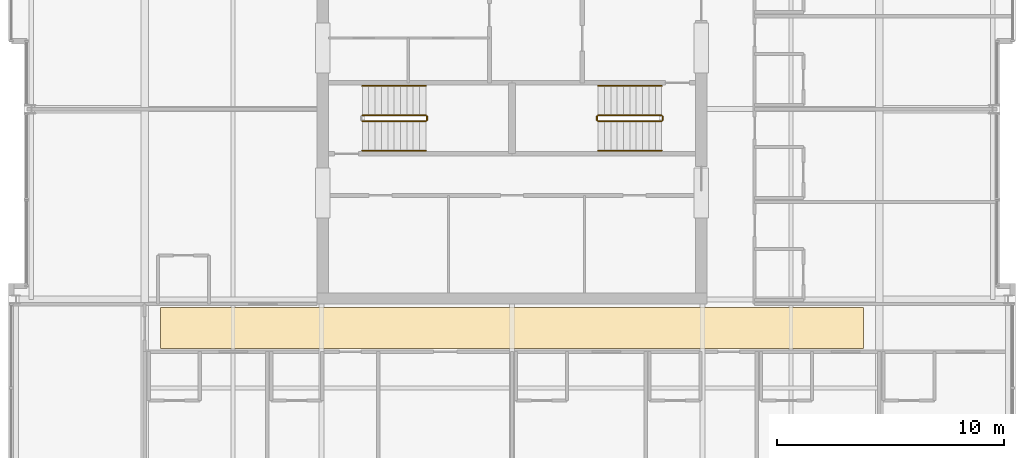
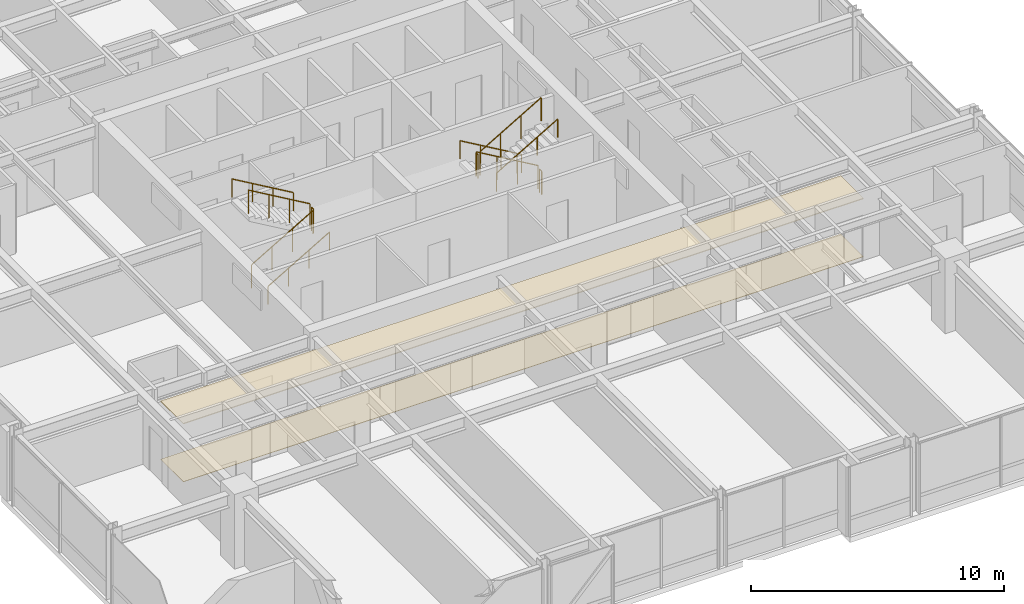
# One storey, part 33 of 34: 11 railings, 2 coverings.
"""IFC4 building model written with IfcOpenShell, lengths in metres."""

from ifc_helpers import new_model, si_unit, direction, frame, origin, origin_2d, place, context, subcontext, project, spatial, polyline, circle, outline, extrude, material, layer, layer_set, type_object, element, save


model = new_model("IFC4")

# Units and contexts
model_context = context("Model", 3, precision=1e-05, world=origin(), true_north=direction((0.0, 1.0)))
body_context = subcontext(model_context, "Body", "Model", "MODEL_VIEW")
ifc_project = project(units=[si_unit("LENGTHUNIT", "METRE"), si_unit("AREAUNIT", "SQUARE_METRE"), si_unit("VOLUMEUNIT", "CUBIC_METRE"), si_unit("PLANEANGLEUNIT", "RADIAN"), si_unit("MASSUNIT", "GRAM", prefix="KILO")], contexts=[model_context])

# Site, building, storey
site_placement = place(None, origin())
site = spatial("IfcSite", under=ifc_project, at=site_placement, CompositionType="ELEMENT")
building_placement = place(site_placement, origin())
building = spatial("IfcBuilding", under=site, at=building_placement, Name="Drelvath Grand Hotel", CompositionType="ELEMENT")
storey_placement = place(building_placement, frame((0.0, 0.0, 208.699951171875)))
storey = spatial("IfcBuildingStorey", under=building, at=storey_placement, Name="L54", CompositionType="ELEMENT", Elevation=208.699951171875)

# Railings
ifc_material_1 = material(Name="Painted Steel S275", Category="steel")
railing_type_1 = type_object("IfcRailingType", Name="Core Stair Wall Handrail 900", PredefinedType="HANDRAIL", material=ifc_material_1)
railing_1_placement = place(storey_placement, frame((-6.60009765625, 25.169921875, 0.16357421875)))
element("IfcRailing", 1, at=railing_1_placement, inside=storey, type_object=railing_type_1, Name="L54 ST-1 stair handrail 1", PredefinedType="HANDRAIL", context=body_context, shape_type="SweptSolid", body=[
    extrude(circle(Radius=0.02392578125, at=origin_2d()), frame((0.0, 0.0, 0.8759765625), z_axis=(0.863360870873, 0.0, 0.504586966384), x_axis=(0.0, 1.0, 0.0)), (0.0, 0.0, 1.0), 3.2431640625),
    extrude(circle(Radius=0.02099609375, at=origin_2d()), origin(), (0.0, 0.0, 1.0), 0.851806640625),
    extrude(circle(Radius=0.02099609375, at=origin_2d()), frame((0.933349609375, 0.0, 0.54541015625)), (0.0, 0.0, 1.0), 0.851806640625),
    extrude(circle(Radius=0.02099609375, at=origin_2d()), frame((1.86669921875, 0.0, 1.091064453125)), (0.0, 0.0, 1.0), 0.851806640625),
    extrude(circle(Radius=0.02099609375, at=origin_2d()), frame((2.800048828125, 0.0, 1.636474609375)), (0.0, 0.0, 1.0), 0.851806640625),
])
for number, where, name in (
    (2, (-3.800048828125, 28.030029296875, 1.963623046875), "L54 ST-1 stair handrail 2"),
    (3, (6.60009765625, 28.030029296875, 0.16357421875), "L54 ST-2 stair handrail 1"),
):
    element("IfcRailing", number, at=place(storey_placement, frame(where)), inside=storey, type_object=railing_type_1, Name=name, PredefinedType="HANDRAIL", context=body_context, shape_type="SweptSolid", body=[
        extrude(circle(Radius=0.02392578125, at=origin_2d()), frame((0.0, 0.0, 0.8759765625), z_axis=(-0.863360870873, 0.0, 0.504586966384), x_axis=(0.0, -1.0, 0.0)), (0.0, 0.0, 1.0), 3.2431640625),
        extrude(circle(Radius=0.02099609375, at=origin_2d()), origin(), (0.0, 0.0, 1.0), 0.851806640625),
        extrude(circle(Radius=0.02099609375, at=origin_2d()), frame((-0.933349609375, 0.0, 0.54541015625)), (0.0, 0.0, 1.0), 0.851806640625),
        extrude(circle(Radius=0.02099609375, at=origin_2d()), frame((-1.86669921875, 0.0, 1.091064453125)), (0.0, 0.0, 1.0), 0.851806640625),
        extrude(circle(Radius=0.02099609375, at=origin_2d()), frame((-2.800048828125, 0.0, 1.636474609375)), (0.0, 0.0, 1.0), 0.851806640625),
    ])
railing_2_placement = place(storey_placement, frame((3.800048828125, 25.169921875, 1.963623046875)))
element("IfcRailing", 4, at=railing_2_placement, inside=storey, type_object=railing_type_1, Name="L54 ST-2 stair handrail 2", PredefinedType="HANDRAIL", context=body_context, shape_type="SweptSolid", body=[
    extrude(circle(Radius=0.02392578125, at=origin_2d()), frame((0.0, 0.0, 0.8759765625), z_axis=(0.863360870873, 0.0, 0.504586966384), x_axis=(0.0, 1.0, 0.0)), (0.0, 0.0, 1.0), 3.2431640625),
    extrude(circle(Radius=0.02099609375, at=origin_2d()), origin(), (0.0, 0.0, 1.0), 0.851806640625),
    extrude(circle(Radius=0.02099609375, at=origin_2d()), frame((0.933349609375, 0.0, 0.54541015625)), (0.0, 0.0, 1.0), 0.851806640625),
    extrude(circle(Radius=0.02099609375, at=origin_2d()), frame((1.86669921875, 0.0, 1.091064453125)), (0.0, 0.0, 1.0), 0.851806640625),
    extrude(circle(Radius=0.02099609375, at=origin_2d()), frame((2.800048828125, 0.0, 1.636474609375)), (0.0, 0.0, 1.0), 0.851806640625),
])
railing_type_2 = type_object("IfcRailingType", Name="Core Stair Well Guardrail 1100", PredefinedType="GUARDRAIL", material=ifc_material_1)
railing_3_placement = place(storey_placement, frame((-6.60009765625, 26.469970703125, 0.16357421875)))
element("IfcRailing", 5, at=railing_3_placement, inside=storey, type_object=railing_type_2, Name="L54 ST-1 stair guard 1", PredefinedType="GUARDRAIL", context=body_context, shape_type="SweptSolid", body=[
    extrude(circle(Radius=0.02392578125, at=origin_2d()), frame((0.0, 0.0, 1.1259765625), z_axis=(0.863360870873, 0.0, 0.504586966384), x_axis=(0.0, 1.0, 0.0)), (0.0, 0.0, 1.0), 3.2431640625),
    extrude(circle(Radius=0.02099609375, at=origin_2d()), origin(), (0.0, 0.0, 1.0), 1.101806640625),
    extrude(circle(Radius=0.02099609375, at=origin_2d()), frame((0.933349609375, 0.0, 0.54541015625)), (0.0, 0.0, 1.0), 1.101806640625),
    extrude(circle(Radius=0.02099609375, at=origin_2d()), frame((1.86669921875, 0.0, 1.091064453125)), (0.0, 0.0, 1.0), 1.101806640625),
    extrude(circle(Radius=0.02099609375, at=origin_2d()), frame((2.800048828125, 0.0, 1.636474609375)), (0.0, 0.0, 1.0), 1.101806640625),
])
railing_4_placement = place(storey_placement, frame((-3.75, 26.52001953125, 1.800048828125)))
element("IfcRailing", 6, at=railing_4_placement, inside=storey, type_object=railing_type_2, Name="L54 ST-1 stair guard 2", PredefinedType="GUARDRAIL", context=body_context, shape_type="SweptSolid", body=[
    extrude(circle(Radius=0.02392578125, at=origin_2d()), frame((0.0, 0.0, 1.1259765625), z_axis=(0.0, 1.0, 0.0), x_axis=(-1.0, 0.0, 0.0)), (0.0, 0.0, 1.0), 0.159912109375),
    extrude(circle(Radius=0.02099609375, at=origin_2d()), origin(), (0.0, 0.0, 1.0), 1.101806640625),
    extrude(circle(Radius=0.02099609375, at=origin_2d()), frame((0.0, 0.159912109375, 0.0)), (0.0, 0.0, 1.0), 1.101806640625),
])
for number, where, name in (
    (7, (-3.800048828125, 26.72998046875, 1.963623046875), "L54 ST-1 stair guard 3"),
    (8, (6.60009765625, 26.72998046875, 0.16357421875), "L54 ST-2 stair guard 1"),
):
    element("IfcRailing", number, at=place(storey_placement, frame(where)), inside=storey, type_object=railing_type_2, Name=name, PredefinedType="GUARDRAIL", context=body_context, shape_type="SweptSolid", body=[
        extrude(circle(Radius=0.02392578125, at=origin_2d()), frame((0.0, 0.0, 1.1259765625), z_axis=(-0.863360870873, 0.0, 0.504586966384), x_axis=(0.0, -1.0, 0.0)), (0.0, 0.0, 1.0), 3.2431640625),
        extrude(circle(Radius=0.02099609375, at=origin_2d()), origin(), (0.0, 0.0, 1.0), 1.101806640625),
        extrude(circle(Radius=0.02099609375, at=origin_2d()), frame((-0.933349609375, 0.0, 0.54541015625)), (0.0, 0.0, 1.0), 1.101806640625),
        extrude(circle(Radius=0.02099609375, at=origin_2d()), frame((-1.86669921875, 0.0, 1.091064453125)), (0.0, 0.0, 1.0), 1.101806640625),
        extrude(circle(Radius=0.02099609375, at=origin_2d()), frame((-2.800048828125, 0.0, 1.636474609375)), (0.0, 0.0, 1.0), 1.101806640625),
    ])
railing_5_placement = place(storey_placement, frame((3.75, 26.679931640625, 1.800048828125)))
element("IfcRailing", 9, at=railing_5_placement, inside=storey, type_object=railing_type_2, Name="L54 ST-2 stair guard 2", PredefinedType="GUARDRAIL", context=body_context, shape_type="SweptSolid", body=[
    extrude(circle(Radius=0.02392578125, at=origin_2d()), frame((0.0, 0.0, 1.1259765625), z_axis=(0.0, -1.0, 0.0), x_axis=(1.0, 0.0, 0.0)), (0.0, 0.0, 1.0), 0.159912109375),
    extrude(circle(Radius=0.02099609375, at=origin_2d()), origin(), (0.0, 0.0, 1.0), 1.101806640625),
    extrude(circle(Radius=0.02099609375, at=origin_2d()), frame((0.0, -0.159912109375, 0.0)), (0.0, 0.0, 1.0), 1.101806640625),
])
railing_6_placement = place(storey_placement, frame((3.800048828125, 26.469970703125, 1.963623046875)))
element("IfcRailing", 10, at=railing_6_placement, inside=storey, type_object=railing_type_2, Name="L54 ST-2 stair guard 3", PredefinedType="GUARDRAIL", context=body_context, shape_type="SweptSolid", body=[
    extrude(circle(Radius=0.02392578125, at=origin_2d()), frame((0.0, 0.0, 1.1259765625), z_axis=(0.863360870873, 0.0, 0.504586966384), x_axis=(0.0, 1.0, 0.0)), (0.0, 0.0, 1.0), 3.2431640625),
    extrude(circle(Radius=0.02099609375, at=origin_2d()), origin(), (0.0, 0.0, 1.0), 1.101806640625),
    extrude(circle(Radius=0.02099609375, at=origin_2d()), frame((0.933349609375, 0.0, 0.54541015625)), (0.0, 0.0, 1.0), 1.101806640625),
    extrude(circle(Radius=0.02099609375, at=origin_2d()), frame((1.86669921875, 0.0, 1.091064453125)), (0.0, 0.0, 1.0), 1.101806640625),
    extrude(circle(Radius=0.02099609375, at=origin_2d()), frame((2.800048828125, 0.0, 1.636474609375)), (0.0, 0.0, 1.0), 1.101806640625),
])
railing_7_placement = place(storey_placement, frame((6.64990234375, 26.679931640625, 0.0)))
element("IfcRailing", 11, at=railing_7_placement, inside=storey, type_object=railing_type_2, Name="L54 ST-2 stair guard 4", PredefinedType="GUARDRAIL", context=body_context, shape_type="SweptSolid", body=[
    extrude(circle(Radius=0.02392578125, at=origin_2d()), frame((0.0, 0.0, 1.1259765625), z_axis=(0.0, -1.0, 0.0), x_axis=(1.0, 0.0, 0.0)), (0.0, 0.0, 1.0), 0.159912109375),
    extrude(circle(Radius=0.02099609375, at=origin_2d()), origin(), (0.0, 0.0, 1.0), 1.101806640625),
    extrude(circle(Radius=0.02099609375, at=origin_2d()), frame((0.0, -0.159912109375, 0.0)), (0.0, 0.0, 1.0), 1.101806640625),
])

# Coverings
ifc_material_2 = material(Name="Woven Wool Broadloom Carpet")
ifc_layer_1 = layer(ifc_material_2, 0.01806640625)
ifc_layer_set_1 = layer_set([ifc_layer_1], Name="Woven Wool Broadloom Carpet")
covering_type_1 = type_object("IfcCoveringType", Name="Hospitality Broadloom Carpet 18", PredefinedType="FLOORING", material=ifc_layer_set_1)
covering_1_placement = place(storey_placement, origin())
element("IfcCovering", 12, at=covering_1_placement, inside=storey, type_object=covering_type_1, Name="L54 Upper Gallery Carpet", PredefinedType="FLOORING", context=body_context, shape_type="SweptSolid", body=[
    extrude(outline(polyline([(15.5, 16.449951171875), (15.5, 18.25), (-15.5, 18.25), (-15.5, 16.449951171875), (15.5, 16.449951171875)])), origin(), (0.0, 0.0, 1.0), 0.01806640625),
])
ifc_material_3 = material(Name="Anodised Aluminium Alloy", Category="aluminium")
ifc_layer_2 = layer(ifc_material_3, 0.0400390625)
ifc_layer_set_2 = layer_set([ifc_layer_2], Name="Anodised Aluminium Alloy")
covering_type_2 = type_object("IfcCoveringType", Name="Perforated Metal Corridor Ceiling 40", PredefinedType="CEILING", material=ifc_layer_set_2)
covering_2_placement = place(storey_placement, frame((0.0, 0.0, 2.7900390625)))
element("IfcCovering", 13, at=covering_2_placement, inside=storey, type_object=covering_type_2, Name="L54 Upper Gallery Ceiling", PredefinedType="CEILING", context=body_context, shape_type="SweptSolid", body=[
    extrude(outline(polyline([(15.5, 16.449951171875), (15.5, 18.25), (-15.5, 18.25), (-15.5, 16.449951171875), (15.5, 16.449951171875)])), origin(), (0.0, 0.0, 1.0), 0.0400390625),
])

save(model, "model.ifc")
